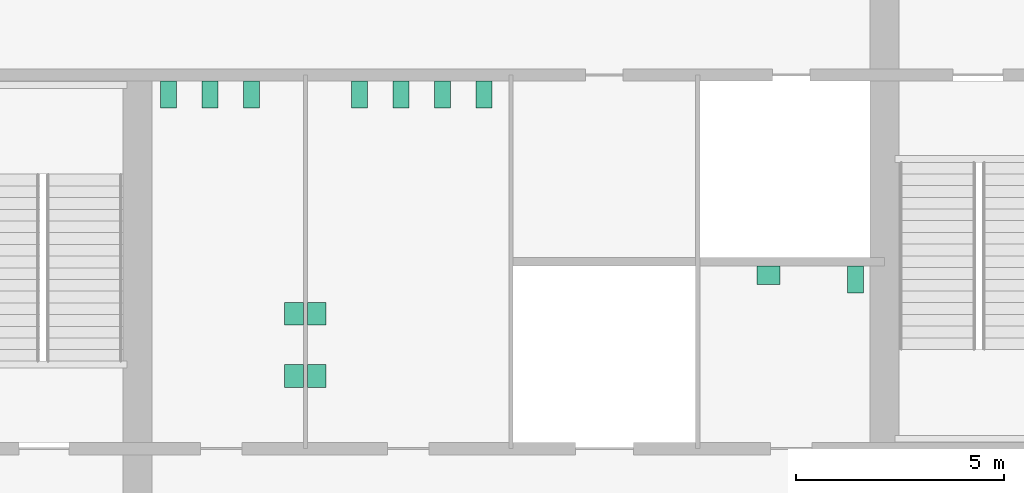
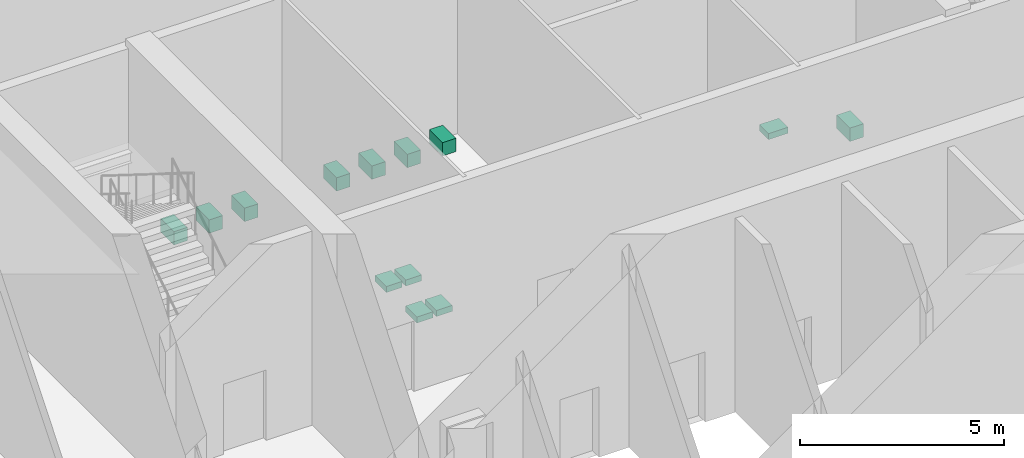
# One storey, part 12 of 12: 13 sanitary terminals.
"""IFC4 building model written with IfcOpenShell, lengths in metres."""

from ifc_helpers import new_model, si_unit, direction, frame, origin, origin_2d, place, context, subcontext, project, spatial, rectangle, extrude, material, type_object, element, save


model = new_model("IFC4")

# Units and contexts
model_context = context("Model", 3, precision=1e-05, world=origin(), true_north=direction((0.0, 1.0)))
body_context = subcontext(model_context, "Body", "Model", "MODEL_VIEW")
ifc_project = project(units=[si_unit("LENGTHUNIT", "METRE"), si_unit("AREAUNIT", "SQUARE_METRE"), si_unit("VOLUMEUNIT", "CUBIC_METRE"), si_unit("PLANEANGLEUNIT", "RADIAN"), si_unit("MASSUNIT", "GRAM", prefix="KILO")], contexts=[model_context])

# Site, building, storey
site_placement = place(None, origin())
site = spatial("IfcSite", under=ifc_project, at=site_placement, CompositionType="ELEMENT")
building_placement = place(site_placement, origin())
building = spatial("IfcBuilding", under=site, at=building_placement, Name="Corais Broadcast Tower", CompositionType="ELEMENT")
storey_placement = place(building_placement, frame((0.0, 0.0, 6.0)))
storey = spatial("IfcBuildingStorey", under=building, at=storey_placement, Name="L01", CompositionType="ELEMENT", Elevation=6.0)

# Sanitary terminals
ifc_material_1 = material(Name="Vitreous china", Category="ceramic")
sanitary_terminal_type_1 = type_object("IfcSanitaryTerminalType", Name="WC pan 380x650", PredefinedType="TOILETPAN", material=ifc_material_1)
for number, where, z_axis, x_axis, name in (
    (1, (18.75, 31.02490234375, 0.0), (0.0, 0.0, 1.0), (1.0, 0.0, 0.0), "SW1 WC pan, male toilets L01"),
    (2, (19.75, 31.02490234375, 0.0), (0.0, 0.0, 1.0), (1.0, 0.0, 0.0), "SW1 WC pan, male toilets L01"),
    (3, (20.75, 31.02490234375, 0.0), (0.0, 0.0, 1.0), (1.0, 0.0, 0.0), "SW1 WC pan, male toilets L01"),
    (4, (23.35009765625, 31.02490234375, 0.0), (0.0, 0.0, 1.0), (1.0, 0.0, 0.0), "SW1 WC pan, female toilets L01"),
    (5, (24.35009765625, 31.02490234375, 0.0), (0.0, 0.0, 1.0), (1.0, 0.0, 0.0), "SW1 WC pan, female toilets L01"),
    (6, (25.35009765625, 31.02490234375, 0.0), (0.0, 0.0, 1.0), (1.0, 0.0, 0.0), "SW1 WC pan, female toilets L01"),
    (7, (26.35009765625, 31.02490234375, 0.0), (0.0, 0.0, 1.0), (1.0, 0.0, 0.0), "SW1 WC pan, female toilets L01"),
    (8, (35.300048828125, 26.574951171875, 0.0), (0.0, 0.0, 1.0), (1.0, 0.0, 0.0), "SW1 WC pan, accessible WC L01"),
):
    element("IfcSanitaryTerminal", number, at=place(storey_placement, frame(where, z_axis=z_axis, x_axis=x_axis)), inside=storey, type_object=sanitary_terminal_type_1, Name=name, PredefinedType="TOILETPAN", context=body_context, shape_type="SweptSolid", body=[
        extrude(rectangle(XDim=0.3798828125, YDim=0.64990234375, at=origin_2d()), origin(), (0.0, 0.0, 1.0), 0.39990234375),
    ])
ifc_material_2 = material(Name="Vitreous china", Category="ceramic")
sanitary_terminal_type_2 = type_object("IfcSanitaryTerminalType", Name="Wash basin 550x450", PredefinedType="WASHHANDBASIN", material=ifc_material_2)
for number, where, z_axis, x_axis, name in (
    (9, (21.77490234375, 24.25, 0.7001953125), (0.0, 0.0, 1.0), (1.0, 0.0, 0.0), "WB1 wash basin, male toilets L01"),
    (10, (21.77490234375, 25.75, 0.7001953125), (0.0, 0.0, 1.0), (1.0, 0.0, 0.0), "WB1 wash basin, male toilets L01"),
    (11, (22.324951171875, 24.25, 0.7001953125), (0.0, 0.0, 1.0), (1.0, 0.0, 0.0), "WB1 wash basin, female toilets L01"),
    (12, (22.324951171875, 25.75, 0.7001953125), (0.0, 0.0, 1.0), (1.0, 0.0, 0.0), "WB1 wash basin, female toilets L01"),
):
    element("IfcSanitaryTerminal", number, at=place(storey_placement, frame(where, z_axis=z_axis, x_axis=x_axis)), inside=storey, type_object=sanitary_terminal_type_2, Name=name, PredefinedType="WASHHANDBASIN", context=body_context, shape_type="SweptSolid", body=[
        extrude(rectangle(XDim=0.449951171875, YDim=0.550048828125, at=origin_2d()), origin(), (0.0, 0.0, 1.0), 0.179931640625),
    ])
sanitary_terminal_placement = place(storey_placement, frame((33.199951171875, 26.675048828125, 0.7001953125), z_axis=(0.0, 0.0, 1.0), x_axis=(1.0, 0.0, 0.0)))
element("IfcSanitaryTerminal", 13, at=sanitary_terminal_placement, inside=storey, type_object=sanitary_terminal_type_2, Name="WB1 wash basin, accessible WC L01", PredefinedType="WASHHANDBASIN", context=body_context, shape_type="SweptSolid", body=[
    extrude(rectangle(XDim=0.550048828125, YDim=0.449951171875, at=origin_2d()), origin(), (0.0, 0.0, 1.0), 0.179931640625),
])

save(model, "model.ifc")
